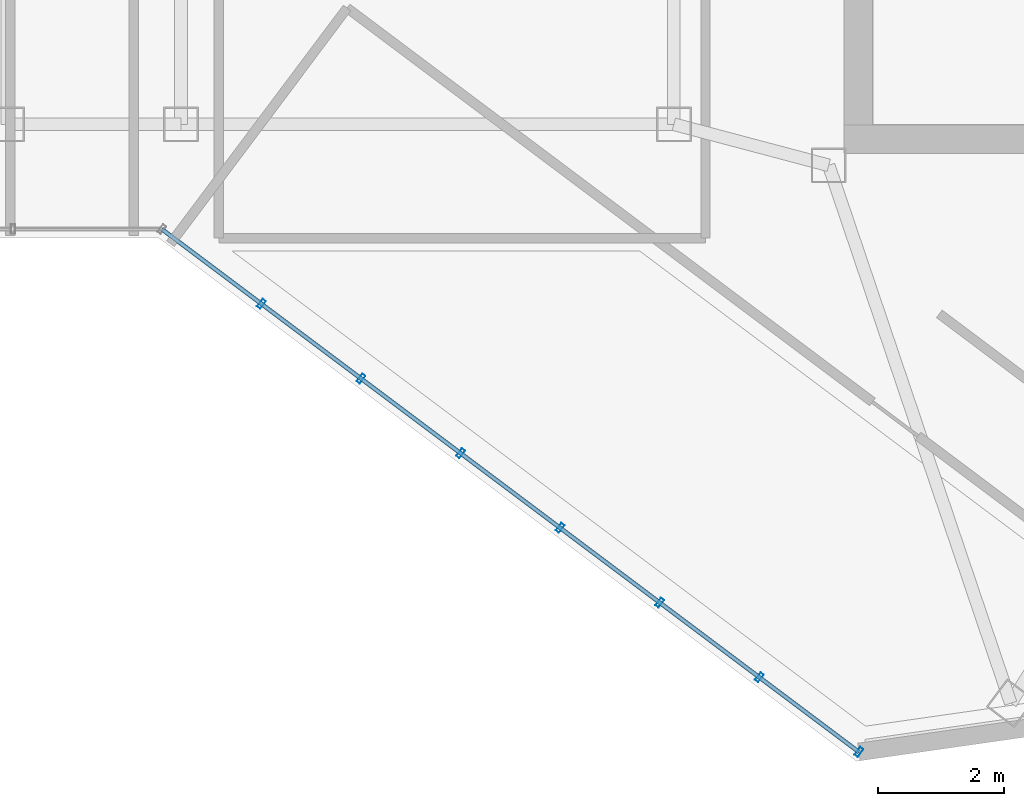
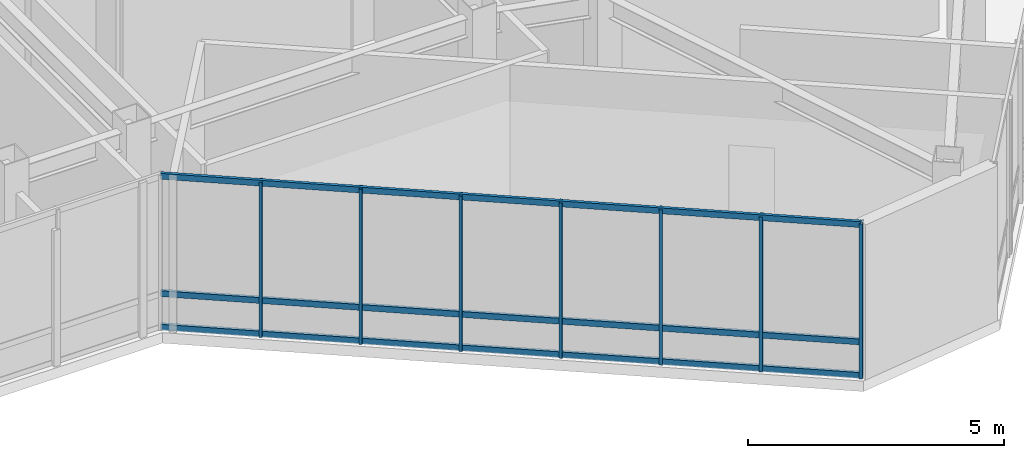
# One storey, part 2 of 24: 10 members, 1 element without a shape of its own.
"""IFC4 building model written with IfcOpenShell, lengths in metres."""

from ifc_helpers import new_model, si_unit, direction, frame, origin, origin_2d, place, context, subcontext, project, spatial, hollow_rectangle, extrude, material, layer, layer_set, material_profile, profile_set, type_object, element, aggregate, save


model = new_model("IFC4")

# Units and contexts
model_context = context("Model", 3, precision=1e-05, world=origin(), true_north=direction((0.0, 1.0)))
body_context = subcontext(model_context, "Body", "Model", "MODEL_VIEW")
ifc_project = project(units=[si_unit("LENGTHUNIT", "METRE"), si_unit("AREAUNIT", "SQUARE_METRE"), si_unit("VOLUMEUNIT", "CUBIC_METRE"), si_unit("PLANEANGLEUNIT", "RADIAN"), si_unit("MASSUNIT", "GRAM", prefix="KILO")], contexts=[model_context])

# Site, building, storey
site_placement = place(None, origin())
site = spatial("IfcSite", under=ifc_project, at=site_placement, CompositionType="ELEMENT")
building_placement = place(site_placement, origin())
building = spatial("IfcBuilding", under=site, at=building_placement, Name="Hatsunagi Terrace Concourse", CompositionType="ELEMENT")
storey_placement = place(building_placement, frame((0.0, 0.0, 285.949951171875)))
storey = spatial("IfcBuildingStorey", under=building, at=storey_placement, Name="L75", CompositionType="ELEMENT", Elevation=285.949951171875)

# Curtain wall, members
ifc_material_1 = material(Name="Anodised Aluminium Alloy 6063-T5", Category="aluminium")
ifc_layer = layer(ifc_material_1, 0.199951171875)
ifc_layer_set = layer_set([ifc_layer], Name="CrownWintergarden_CW06")
curtain_wall_type = type_object("IfcCurtainWallType", Name="CrownWintergarden_CW06", PredefinedType="NOTDEFINED", material=ifc_layer_set)
curtain_wall_placement = place(storey_placement, origin())
curtain_wall = element("IfcCurtainWall", 1, at=curtain_wall_placement, inside=storey, type_object=curtain_wall_type, Name="Unitised Curtain Wall CW-06 CW-L75-05", PredefinedType="NOTDEFINED")
ifc_material_2 = material(Name="Anodised Aluminium Alloy 6063-T5", Category="aluminium")
ifc_material_profile_1 = material_profile(ifc_material_2, hollow_rectangle(XDim=0.06494140625, YDim=0.14990234375, WallThickness=0.00390625, at=origin_2d()), Name="ALU-MUL-150x65x4")
ifc_profile_set_1 = profile_set([ifc_material_profile_1], Name="Anodised Aluminium Alloy 6063-T5")
member_type_1 = type_object("IfcMemberType", Name="CurtainWallMullion_Crown_150x65", PredefinedType="MULLION", material=ifc_profile_set_1)
member_1_placement = place(storey_placement, frame((36.278076171875, 15.26708984375, 0.0), z_axis=(0.0, 0.0, 1.0), x_axis=(-0.80000835285, 0.599988862705, 0.0)))
member_1 = element("IfcMember", 2, at=member_1_placement, type_object=member_type_1, Name="Curtain Wall Mullion MUL-03", PredefinedType="MULLION", context=body_context, shape_type="SweptSolid", body=[
    extrude(hollow_rectangle(XDim=0.06494140625, YDim=0.14990234375, WallThickness=0.00390625, at=origin_2d()), origin(), (0.0, 0.0, 1.0), 3.699951171875),
])
member_2_placement = place(storey_placement, frame((34.701904296875, 16.448974609375, 0.0), z_axis=(0.0, 0.0, 1.0), x_axis=(-0.80000835285, 0.599988862705, 0.0)))
member_2 = element("IfcMember", 3, at=member_2_placement, type_object=member_type_1, Name="Curtain Wall Mullion MUL-03", PredefinedType="MULLION", context=body_context, shape_type="SweptSolid", body=[
    extrude(hollow_rectangle(XDim=0.06494140625, YDim=0.14990234375, WallThickness=0.00390625, at=origin_2d()), origin(), (0.0, 0.0, 1.0), 3.699951171875),
])
member_3_placement = place(storey_placement, frame((33.1259765625, 17.631103515625, 0.0), z_axis=(0.0, 0.0, 1.0), x_axis=(-0.80000835285, 0.599988862705, 0.0)))
member_3 = element("IfcMember", 4, at=member_3_placement, type_object=member_type_1, Name="Curtain Wall Mullion MUL-03", PredefinedType="MULLION", context=body_context, shape_type="SweptSolid", body=[
    extrude(hollow_rectangle(XDim=0.06494140625, YDim=0.14990234375, WallThickness=0.00390625, at=origin_2d()), origin(), (0.0, 0.0, 1.0), 3.699951171875),
])
member_4_placement = place(storey_placement, frame((31.550048828125, 18.81298828125, 0.0), z_axis=(0.0, 0.0, 1.0), x_axis=(-0.80000835285, 0.599988862705, 0.0)))
member_4 = element("IfcMember", 5, at=member_4_placement, type_object=member_type_1, Name="Curtain Wall Mullion MUL-03", PredefinedType="MULLION", context=body_context, shape_type="SweptSolid", body=[
    extrude(hollow_rectangle(XDim=0.06494140625, YDim=0.14990234375, WallThickness=0.00390625, at=origin_2d()), origin(), (0.0, 0.0, 1.0), 3.699951171875),
])
member_5_placement = place(storey_placement, frame((29.97509765625, 19.993896484375, 0.0), z_axis=(0.0, 0.0, 1.0), x_axis=(-0.80000835285, 0.599988862705, 0.0)))
member_5 = element("IfcMember", 6, at=member_5_placement, type_object=member_type_1, Name="Curtain Wall Mullion MUL-03", PredefinedType="MULLION", context=body_context, shape_type="SweptSolid", body=[
    extrude(hollow_rectangle(XDim=0.06494140625, YDim=0.14990234375, WallThickness=0.00390625, at=origin_2d()), origin(), (0.0, 0.0, 1.0), 3.699951171875),
])
member_6_placement = place(storey_placement, frame((28.39892578125, 21.176025390625, 0.0), z_axis=(0.0, 0.0, 1.0), x_axis=(-0.80000835285, 0.599988862705, 0.0)))
member_6 = element("IfcMember", 7, at=member_6_placement, type_object=member_type_1, Name="Curtain Wall Mullion MUL-03", PredefinedType="MULLION", context=body_context, shape_type="SweptSolid", body=[
    extrude(hollow_rectangle(XDim=0.06494140625, YDim=0.14990234375, WallThickness=0.00390625, at=origin_2d()), origin(), (0.0, 0.0, 1.0), 3.699951171875),
])
member_7_placement = place(storey_placement, frame((26.822998046875, 22.35791015625, 0.0), z_axis=(0.0, 0.0, 1.0), x_axis=(-0.80000835285, 0.599988862705, 0.0)))
member_7 = element("IfcMember", 8, at=member_7_placement, type_object=member_type_1, Name="Curtain Wall Mullion MUL-03", PredefinedType="MULLION", context=body_context, shape_type="SweptSolid", body=[
    extrude(hollow_rectangle(XDim=0.06494140625, YDim=0.14990234375, WallThickness=0.00390625, at=origin_2d()), origin(), (0.0, 0.0, 1.0), 3.699951171875),
])
ifc_material_3 = material(Name="Anodised Aluminium Alloy 6063-T5", Category="aluminium")
ifc_material_profile_2 = material_profile(ifc_material_3, hollow_rectangle(XDim=0.06494140625, YDim=0.139892578125, WallThickness=0.00390625, at=origin_2d()), Name="ALU-TRN-140x65x4")
ifc_profile_set_2 = profile_set([ifc_material_profile_2], Name="Anodised Aluminium Alloy 6063-T5")
member_type_2 = type_object("IfcMemberType", Name="CurtainWallTransom_140x65", PredefinedType="USERDEFINED", material=ifc_profile_set_2)
member_8_placement = place(storey_placement, frame((36.278076171875, 15.26708984375, 0.050048828125), z_axis=(-0.80001062348, 0.599985835098, 0.0), x_axis=(-0.599985835098, -0.80001062348, 0.0)))
member_8 = element("IfcMember", 9, at=member_8_placement, type_object=member_type_2, Name="Curtain Wall Transom TRN-02", ObjectType="TRANSOM", PredefinedType="USERDEFINED", context=body_context, shape_type="SweptSolid", body=[
    extrude(hollow_rectangle(XDim=0.06494140625, YDim=0.139892578125, WallThickness=0.00390625, at=origin_2d()), origin(), (0.0, 0.0, 1.0), 13.78857421875),
])
member_9_placement = place(storey_placement, frame((36.278076171875, 15.26708984375, 0.85009765625), z_axis=(-0.80001062348, 0.599985835098, 0.0), x_axis=(-0.599985835098, -0.80001062348, 0.0)))
member_9 = element("IfcMember", 10, at=member_9_placement, type_object=member_type_2, Name="Curtain Wall Transom TRN-02", ObjectType="TRANSOM", PredefinedType="USERDEFINED", context=body_context, shape_type="SweptSolid", body=[
    extrude(hollow_rectangle(XDim=0.06494140625, YDim=0.139892578125, WallThickness=0.00390625, at=origin_2d()), origin(), (0.0, 0.0, 1.0), 13.78857421875),
])
member_10_placement = place(storey_placement, frame((36.278076171875, 15.26708984375, 3.650146484375), z_axis=(-0.80001062348, 0.599985835098, 0.0), x_axis=(-0.599985835098, -0.80001062348, 0.0)))
member_10 = element("IfcMember", 11, at=member_10_placement, type_object=member_type_2, Name="Curtain Wall Transom TRN-02", ObjectType="TRANSOM", PredefinedType="USERDEFINED", context=body_context, shape_type="SweptSolid", body=[
    extrude(hollow_rectangle(XDim=0.06494140625, YDim=0.139892578125, WallThickness=0.00390625, at=origin_2d()), origin(), (0.0, 0.0, 1.0), 13.78857421875),
])
aggregate(curtain_wall, [member_1, member_2, member_3, member_4, member_5, member_6, member_7, member_8, member_9, member_10])

save(model, "model.ifc")
